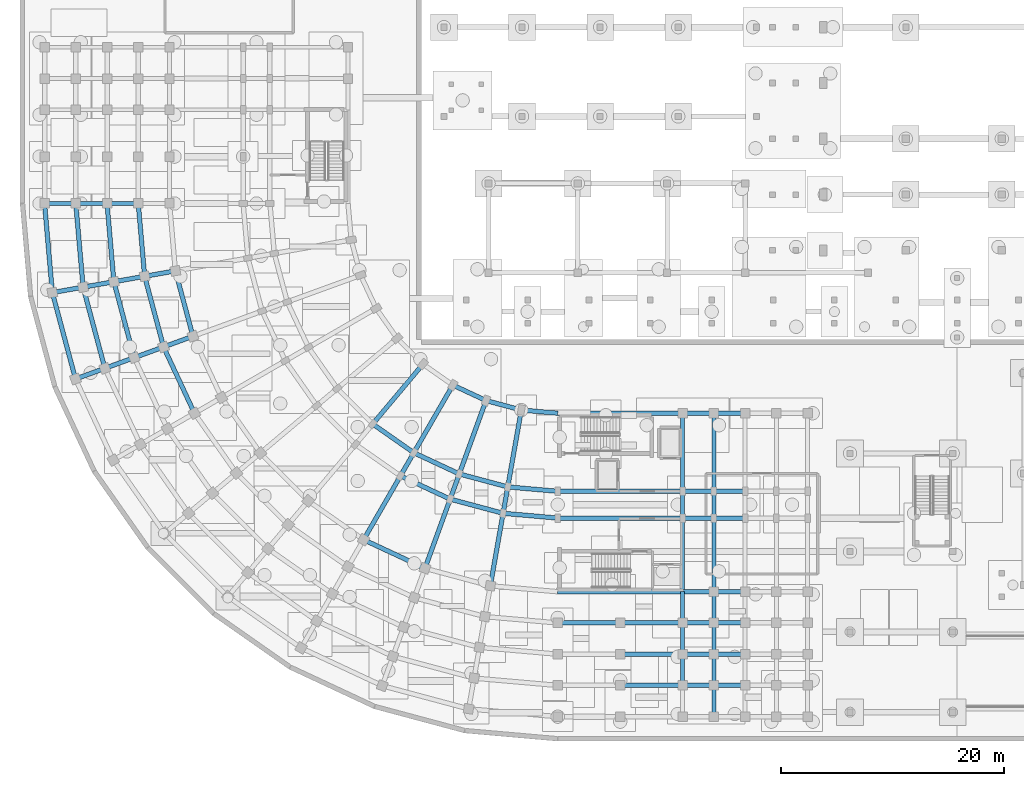
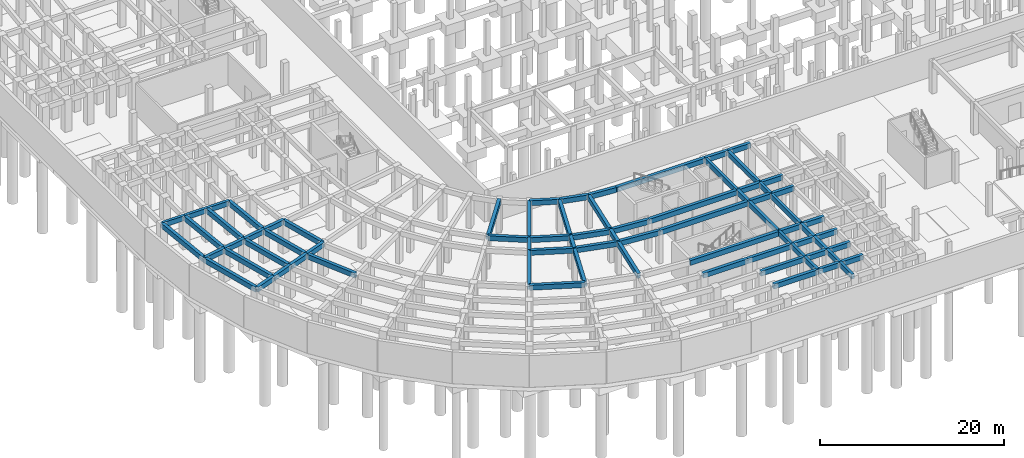
# One storey, part 19 of 53: 77 beams.
"""IFC4 building model written with IfcOpenShell, lengths in metres."""

import ifcopenshell
import ifcopenshell.guid

model = None  # the IFC model being written
_history = None  # IfcOwnerHistory: only IFC2X3 demands one
_inside = {}  # id of a spatial element -> (the spatial element, [elements in it])
_under = {}  # id of a project, library or spatial element -> (it, [spatial elements below it])
_declared = {}  # id of a project -> (the project, [libraries it declares])
_typed = {}  # id of a type object -> (the type object, [elements of that type])
_made_of = {}  # id of a material, layer set ... -> (it, [elements and type objects made of it])


def new_model(schema):
    """Start an empty IFC model of exactly this schema.

    Asked for "IFC4X3", IfcOpenShell would pick the latest addendum, in which some entities
    have other attributes; the version numbers below select the first issue.
    IFC2X3 requires an IfcOwnerHistory on every rooted entity: one is made here for all.
    """
    global model, _history
    if schema == "IFC4X3":
        model = ifcopenshell.file(schema_version=(4, 3, 0, 0))
    else:
        model = ifcopenshell.file(schema=schema)
    _inside.clear()
    _under.clear()
    _declared.clear()
    _typed.clear()
    _made_of.clear()
    _history = None
    if model.schema == "IFC2X3":
        org = make("IfcOrganization", Name="unknown")
        user = make(
            "IfcPersonAndOrganization",
            ThePerson=make("IfcPerson", FamilyName="unknown"),
            TheOrganization=org,
        )
        app = make(
            "IfcApplication",
            ApplicationDeveloper=org,
            Version="unknown",
            ApplicationFullName="unknown",
            ApplicationIdentifier="unknown",
        )
        _history = make(
            "IfcOwnerHistory",
            OwningUser=user,
            OwningApplication=app,
            ChangeAction="ADDED",
            CreationDate=0,
        )
    return model


def make(cls, **values):
    """One entity of the class cls with the attributes given. An attribute that is None is left unset."""
    return model.create_entity(
        cls, **{name: value for name, value in values.items() if value is not None}
    )


def rooted(cls, **values):
    """An entity with a GlobalId (a new one), such as an element, a storey or a relation."""
    return make(cls, GlobalId=ifcopenshell.guid.new(), OwnerHistory=_history, **values)


def si_unit(unit_type, name, prefix=None):
    """IfcSIUnit, for example si_unit("LENGTHUNIT", "METRE", prefix="MILLI")."""
    return make("IfcSIUnit", UnitType=unit_type, Prefix=prefix, Name=name)


def assignment(units):
    """IfcUnitAssignment: the units of a project."""
    return None if units is None else make("IfcUnitAssignment", Units=units)


def point(xyz):
    """IfcCartesianPoint."""
    return None if xyz is None else make("IfcCartesianPoint", Coordinates=xyz)


def direction(xyz):
    """IfcDirection."""
    return None if xyz is None else make("IfcDirection", DirectionRatios=xyz)


def frame(location, z_axis=None, x_axis=None):
    """IfcAxis2Placement3D, a coordinate frame: its origin and axes. An axis left out is left unset."""
    return make(
        "IfcAxis2Placement3D",
        Location=point(location),
        Axis=direction(z_axis),
        RefDirection=direction(x_axis),
    )


def frame_2d(location, x_axis=None):
    """IfcAxis2Placement2D, a coordinate frame in the plane: its origin and x axis."""
    return make(
        "IfcAxis2Placement2D", Location=point(location), RefDirection=direction(x_axis)
    )


def origin():
    """The frame at (0, 0, 0) with its axes left unset."""
    return frame((0.0, 0.0, 0.0))


def origin_2d():
    """The frame at (0, 0) in the plane with its x axis left unset."""
    return frame_2d((0.0, 0.0))


def place(relative_to, where):
    """IfcLocalPlacement: puts the frame where relative to a parent placement (None: the world)."""
    return make(
        "IfcLocalPlacement", PlacementRelTo=relative_to, RelativePlacement=where
    )


def context(
    kind, dimensions, precision=None, world=None, true_north=None, identifier=None
):
    """IfcGeometricRepresentationContext, for example the 3D "Model" context."""
    return make(
        "IfcGeometricRepresentationContext",
        ContextIdentifier=identifier,
        ContextType=kind,
        CoordinateSpaceDimension=dimensions,
        Precision=precision,
        WorldCoordinateSystem=world,
        TrueNorth=true_north,
    )


def subcontext(parent, identifier, kind, view, scale=None):
    """IfcGeometricRepresentationSubContext, for example "Body" below "Model"."""
    return make(
        "IfcGeometricRepresentationSubContext",
        ContextIdentifier=identifier,
        ContextType=kind,
        ParentContext=parent,
        TargetScale=scale,
        TargetView=view,
    )


def project(units=None, contexts=None):
    """IfcProject with its units and contexts."""
    return rooted(
        "IfcProject",
        Name="project",
        RepresentationContexts=contexts,
        UnitsInContext=assignment(units),
    )


def spatial(cls, under=None, at=None, **own):
    """A site, building, storey or space (cls), placed at a placement, below another one or the project."""
    s = rooted(cls, ObjectPlacement=at, **own)
    if under is not None:
        _under.setdefault(under.id(), (under, []))[1].append(s)
    return s


def profile(cls, at=None, kind="AREA", **sizes):
    """A parametric profile (cls). Its sizes go by their IFC names, for example OverallWidth=200.0."""
    return make(cls, ProfileType=kind, Position=at, **sizes)


def rectangle(**sizes):
    """IfcRectangleProfileDef."""
    return profile("IfcRectangleProfileDef", **sizes)


def extrude(swept, where, along, depth):
    """IfcExtrudedAreaSolid: the profile swept, set in the frame where, extruded along a direction by depth."""
    return make(
        "IfcExtrudedAreaSolid",
        SweptArea=swept,
        Position=where,
        ExtrudedDirection=direction(along),
        Depth=depth,
    )


def shape(context_of_items, identifier, shape_type, items):
    """IfcShapeRepresentation: the items that make up one representation, for example the "Body"."""
    return make(
        "IfcShapeRepresentation",
        ContextOfItems=context_of_items,
        RepresentationIdentifier=identifier,
        RepresentationType=shape_type,
        Items=items,
    )


def material(Name=None, Category=None):
    """IfcMaterial."""
    return make("IfcMaterial", Name=Name, Category=Category)


def material_profile(
    of_material, cross_section, Name=None, Category=None, Priority=None
):
    """IfcMaterialProfile: a cross section and its material."""
    return make(
        "IfcMaterialProfile",
        Name=Name,
        Material=of_material,
        Profile=cross_section,
        Priority=Priority,
        Category=Category,
    )


def profile_set(profiles, Name=None, composite=None):
    """IfcMaterialProfileSet."""
    return make(
        "IfcMaterialProfileSet",
        Name=Name,
        MaterialProfiles=profiles,
        CompositeProfile=composite,
    )


def made_of(thing, what):
    """Note that an element or type object is made of a material, layer set ...; save() writes the relation."""
    if what is not None:
        _made_of.setdefault(what.id(), (what, []))[1].append(thing)
    return thing


def type_object(cls, material=None, **own):
    """A type object (cls), such as IfcWallType, which elements share."""
    return made_of(rooted(cls, **own), material)


def element(
    cls,
    number,
    at=None,
    inside=None,
    cuts=None,
    type_object=None,
    material=None,
    context=None,
    identifier="Body",
    shape_type=None,
    held_by="IfcProductDefinitionShape",
    body=None,
    shapes=None,
    **own,
):
    """One element of the class cls, such as IfcWall. Its Tag is "e" and its number.

    at: its placement. inside: the storey or other place that contains it. cuts: it is an
    opening in that element (IfcRelVoidsElement). A single representation is given by context,
    identifier, shape_type and body (its items); several are given by shapes. held_by: the class
    of the entity that holds the representations. save() writes the other relations.
    """
    e = rooted(cls, Tag="e%d" % number, ObjectPlacement=at, **own)
    if body is not None:
        shapes = [shape(context, identifier, shape_type, body)]
    if shapes is not None:
        e.Representation = make(held_by, Representations=shapes)
    if inside is not None:
        _inside.setdefault(inside.id(), (inside, []))[1].append(e)
    if cuts is not None:
        rooted(
            "IfcRelVoidsElement", RelatingBuildingElement=cuts, RelatedOpeningElement=e
        )
    if type_object is not None:
        _typed.setdefault(type_object.id(), (type_object, []))[1].append(e)
    return made_of(e, material)


def aggregate(whole, parts):
    """IfcRelAggregates: a whole, such as a stair, and the parts it consists of."""
    return rooted("IfcRelAggregates", RelatingObject=whole, RelatedObjects=parts)


def save(model, path):
    """Write the relations noted so far, then the file.

    IfcRelAggregates (storeys below a building ...), IfcRelContainedInSpatialStructure (elements
    in a storey), IfcRelDefinesByType, IfcRelAssociatesMaterial and IfcRelDeclares: one each for
    every whole, place, type object, material and project.
    """
    for whole, parts in _under.values():
        aggregate(whole, parts)
    for where, things in _inside.values():
        rooted(
            "IfcRelContainedInSpatialStructure",
            RelatedElements=things,
            RelatingStructure=where,
        )
    for kind, things in _typed.values():
        rooted("IfcRelDefinesByType", RelatedObjects=things, RelatingType=kind)
    for what, things in _made_of.values():
        rooted("IfcRelAssociatesMaterial", RelatedObjects=things, RelatingMaterial=what)
    for by, libraries in _declared.values():
        rooted("IfcRelDeclares", RelatingContext=by, RelatedDefinitions=libraries)
    model.write(path)


model = new_model("IFC4")

# Units and contexts
model_context = context("Model", 3, precision=1e-05, world=origin(), true_north=direction((0.0, 1.0)))
body_context = subcontext(model_context, "Body", "Model", "MODEL_VIEW")
ifc_project = project(units=[si_unit("LENGTHUNIT", "METRE"), si_unit("AREAUNIT", "SQUARE_METRE"), si_unit("VOLUMEUNIT", "CUBIC_METRE"), si_unit("PLANEANGLEUNIT", "RADIAN"), si_unit("MASSUNIT", "GRAM", prefix="KILO")], contexts=[model_context])

# Site, building, storey
site_placement = place(None, origin())
site = spatial("IfcSite", under=ifc_project, at=site_placement, CompositionType="ELEMENT")
building_placement = place(site_placement, origin())
building = spatial("IfcBuilding", under=site, at=building_placement, Name="Kiranvali Square Residences", CompositionType="ELEMENT")
storey_placement = place(building_placement, frame((0.0, 0.0, -4.5)))
storey = spatial("IfcBuildingStorey", under=building, at=storey_placement, Name="B1", CompositionType="ELEMENT", Elevation=-4.5)

# Beams
ifc_material_1 = material(Name="Concrete M40 (40 MPa)", Category="concrete")
ifc_material_profile_1 = material_profile(ifc_material_1, rectangle(XDim=0.35009765625, YDim=0.64990234375, at=origin_2d()), Name="RC 350x650")
ifc_profile_set_1 = profile_set([ifc_material_profile_1], Name="Concrete M40 (40 MPa)")
beam_type_1 = type_object("IfcBeamType", Name="BM-M40-350x650", PredefinedType="BEAM", material=ifc_profile_set_1)
beam_1_placement = place(storey_placement, frame((59.39990234375, 29.39990234375, 3.955078125), z_axis=(0.0, -1.0, 0.0), x_axis=(1.0, 0.0, 0.0)))
element("IfcBeam", 1, at=beam_1_placement, inside=storey, type_object=beam_type_1, Name="B1 beam BM-C-B1-A1T1-01", PredefinedType="BEAM", context=body_context, shape_type="SweptSolid", body=[
    extrude(rectangle(XDim=0.35009765625, YDim=0.64990234375, at=origin_2d()), origin(), (0.0, 0.0, 1.0), 7.0),
])
beam_2_placement = place(storey_placement, frame((59.39990234375, 22.39990234375, 3.955078125), z_axis=(0.0, -1.0, 0.0), x_axis=(1.0, 0.0, 0.0)))
element("IfcBeam", 2, at=beam_2_placement, inside=storey, type_object=beam_type_1, Name="B1 beam BM-C-B1-A1T1-12", PredefinedType="BEAM", context=body_context, shape_type="SweptSolid", body=[
    extrude(rectangle(XDim=0.35009765625, YDim=0.64990234375, at=origin_2d()), origin(), (0.0, 0.0, 1.0), 2.39990234375),
])
beam_3_placement = place(storey_placement, frame((59.39990234375, 20.0, 3.955078125), z_axis=(0.0, -1.0, 0.0), x_axis=(1.0, 0.0, 0.0)))
element("IfcBeam", 3, at=beam_3_placement, inside=storey, type_object=beam_type_1, Name="B1 beam BM-C-B1-A1T1-23", PredefinedType="BEAM", context=body_context, shape_type="SweptSolid", body=[
    extrude(rectangle(XDim=0.35009765625, YDim=0.64990234375, at=origin_2d()), origin(), (0.0, 0.0, 1.0), 6.60009765625),
])
beam_4_placement = place(storey_placement, frame((59.39990234375, 13.39990234375, 3.955078125), z_axis=(0.0, -1.0, 0.0), x_axis=(1.0, 0.0, 0.0)))
element("IfcBeam", 4, at=beam_4_placement, inside=storey, type_object=beam_type_1, Name="B1 beam BM-C-B1-A1T1-34", PredefinedType="BEAM", context=body_context, shape_type="SweptSolid", body=[
    extrude(rectangle(XDim=0.35009765625, YDim=0.64990234375, at=origin_2d()), origin(), (0.0, 0.0, 1.0), 2.7998046875),
])
for number, where, z_axis, x_axis, name in (
    (5, (59.39990234375, 10.60009765625, 3.955078125), (0.0, -1.0, 0.0), (1.0, 0.0, 0.0), "B1 beam BM-C-B1-A1T1-45"),
    (6, (59.39990234375, 7.800048828125, 3.955078125), (0.0, -1.0, 0.0), (1.0, 0.0, 0.0), "B1 beam BM-C-B1-A1T1-56"),
):
    element("IfcBeam", number, at=place(storey_placement, frame(where, z_axis=z_axis, x_axis=x_axis)), inside=storey, type_object=beam_type_1, Name=name, PredefinedType="BEAM", context=body_context, shape_type="SweptSolid", body=[
        extrude(rectangle(XDim=0.35009765625, YDim=0.64990234375, at=origin_2d()), origin(), (0.0, 0.0, 1.0), 2.800048828125),
    ])
beam_5_placement = place(storey_placement, frame((62.199951171875, 29.39990234375, 3.955078125), z_axis=(0.0, -1.0, 0.0), x_axis=(1.0, 0.0, 0.0)))
element("IfcBeam", 7, at=beam_5_placement, inside=storey, type_object=beam_type_1, Name="B1 beam BM-C-B1-A1T2-01", PredefinedType="BEAM", context=body_context, shape_type="SweptSolid", body=[
    extrude(rectangle(XDim=0.35009765625, YDim=0.64990234375, at=origin_2d()), origin(), (0.0, 0.0, 1.0), 7.0),
])
beam_6_placement = place(storey_placement, frame((62.199951171875, 22.39990234375, 3.955078125), z_axis=(0.0, -1.0, 0.0), x_axis=(1.0, 0.0, 0.0)))
element("IfcBeam", 8, at=beam_6_placement, inside=storey, type_object=beam_type_1, Name="B1 beam BM-C-B1-A1T2-12", PredefinedType="BEAM", context=body_context, shape_type="SweptSolid", body=[
    extrude(rectangle(XDim=0.35009765625, YDim=0.64990234375, at=origin_2d()), origin(), (0.0, 0.0, 1.0), 2.39990234375),
])
beam_7_placement = place(storey_placement, frame((62.199951171875, 20.0, 3.955078125), z_axis=(0.0, -1.0, 0.0), x_axis=(1.0, 0.0, 0.0)))
element("IfcBeam", 9, at=beam_7_placement, inside=storey, type_object=beam_type_1, Name="B1 beam BM-C-B1-A1T2-23", PredefinedType="BEAM", context=body_context, shape_type="SweptSolid", body=[
    extrude(rectangle(XDim=0.35009765625, YDim=0.64990234375, at=origin_2d()), origin(), (0.0, 0.0, 1.0), 6.60009765625),
])
beam_8_placement = place(storey_placement, frame((62.199951171875, 13.39990234375, 3.955078125), z_axis=(0.0, -1.0, 0.0), x_axis=(1.0, 0.0, 0.0)))
element("IfcBeam", 10, at=beam_8_placement, inside=storey, type_object=beam_type_1, Name="B1 beam BM-C-B1-A1T2-34", PredefinedType="BEAM", context=body_context, shape_type="SweptSolid", body=[
    extrude(rectangle(XDim=0.35009765625, YDim=0.64990234375, at=origin_2d()), origin(), (0.0, 0.0, 1.0), 2.7998046875),
])
for number, where, z_axis, x_axis, name in (
    (11, (62.199951171875, 10.60009765625, 3.955078125), (0.0, -1.0, 0.0), (1.0, 0.0, 0.0), "B1 beam BM-C-B1-A1T2-45"),
    (12, (62.199951171875, 7.800048828125, 3.955078125), (0.0, -1.0, 0.0), (1.0, 0.0, 0.0), "B1 beam BM-C-B1-A1T2-56"),
    (13, (62.199951171875, 5.0, 3.955078125), (0.0, -1.0, 0.0), (1.0, 0.0, 0.0), "B1 beam BM-C-B1-A1T2-67"),
    (14, (10.60009765625, 48.199951171875, 3.955078125), (-1.0, 0.0, 0.0), (0.0, -1.0, 0.0), "B1 beam BM-C-B1-A2T0-45"),
    (15, (7.800048828125, 48.199951171875, 3.955078125), (-1.0, 0.0, 0.0), (0.0, -1.0, 0.0), "B1 beam BM-C-B1-A2T0-56"),
    (16, (5.0, 48.199951171875, 3.955078125), (-1.0, 0.0, 0.0), (0.0, -1.0, 0.0), "B1 beam BM-C-B1-A2T0-67"),
):
    element("IfcBeam", number, at=place(storey_placement, frame(where, z_axis=z_axis, x_axis=x_axis)), inside=storey, type_object=beam_type_1, Name=name, PredefinedType="BEAM", context=body_context, shape_type="SweptSolid", body=[
        extrude(rectangle(XDim=0.35009765625, YDim=0.64990234375, at=origin_2d()), origin(), (0.0, 0.0, 1.0), 2.800048828125),
    ])
ifc_material_2 = material(Name="Concrete M45 (45 MPa)", Category="concrete")
ifc_material_profile_2 = material_profile(ifc_material_2, rectangle(XDim=0.39990234375, YDim=0.64990234375, at=origin_2d()), Name="RC 400x650")
ifc_profile_set_2 = profile_set([ifc_material_profile_2], Name="Concrete M45 (45 MPa)")
beam_type_2 = type_object("IfcBeamType", Name="BM-M45-400x650", PredefinedType="BEAM", material=ifc_profile_set_2)
beam_9_placement = place(storey_placement, frame((48.199951171875, 29.39990234375, 3.955078125), z_axis=(-0.996194040944, 0.087163253657, 0.0), x_axis=(-0.087163253657, -0.996194040944, 0.0)))
element("IfcBeam", 17, at=beam_9_placement, inside=storey, type_object=beam_type_2, Name="B1 beam BM-C-B1-C00-R0", PredefinedType="BEAM", context=body_context, shape_type="SweptSolid", body=[
    extrude(rectangle(XDim=0.39990234375, YDim=0.64990234375, at=origin_2d()), origin(), (0.0, 0.0, 1.0), 3.277099609375),
])
beam_10_placement = place(storey_placement, frame((48.199951171875, 22.39990234375, 3.955078125), z_axis=(-0.996191949488, 0.087187153726, 0.0), x_axis=(-0.087187153726, -0.996191949488, 0.0)))
element("IfcBeam", 18, at=beam_10_placement, inside=storey, type_object=beam_type_2, Name="B1 beam BM-C-B1-C00-R1", PredefinedType="BEAM", context=body_context, shape_type="SweptSolid", body=[
    extrude(rectangle(XDim=0.39990234375, YDim=0.64990234375, at=origin_2d()), origin(), (0.0, 0.0, 1.0), 4.4970703125),
])
beam_11_placement = place(storey_placement, frame((48.199951171875, 20.0, 3.955078125), z_axis=(-0.996193663584, 0.087167566415, 0.0), x_axis=(-0.087167566415, -0.996193663584, 0.0)))
element("IfcBeam", 19, at=beam_11_placement, inside=storey, type_object=beam_type_2, Name="B1 beam BM-C-B1-C00-R2", PredefinedType="BEAM", context=body_context, shape_type="SweptSolid", body=[
    extrude(rectangle(XDim=0.39990234375, YDim=0.64990234375, at=origin_2d()), origin(), (0.0, 0.0, 1.0), 4.91552734375),
])
beam_12_placement = place(storey_placement, frame((44.935302734375, 29.685546875, 3.955078125), z_axis=(-0.965925105099, 0.258821736607, 0.0), x_axis=(-0.258821736607, -0.965925105099, 0.0)))
element("IfcBeam", 20, at=beam_12_placement, inside=storey, type_object=beam_type_2, Name="B1 beam BM-C-B1-C01-R0", PredefinedType="BEAM", context=body_context, shape_type="SweptSolid", body=[
    extrude(rectangle(XDim=0.39990234375, YDim=0.64990234375, at=origin_2d()), origin(), (0.0, 0.0, 1.0), 3.27685546875),
])
beam_13_placement = place(storey_placement, frame((43.719970703125, 22.7919921875, 3.955078125), z_axis=(-0.965934240054, 0.258787642463, 0.0), x_axis=(-0.258787642463, -0.965934240054, 0.0)))
element("IfcBeam", 21, at=beam_13_placement, inside=storey, type_object=beam_type_2, Name="B1 beam BM-C-B1-C01-R1", PredefinedType="BEAM", context=body_context, shape_type="SweptSolid", body=[
    extrude(rectangle(XDim=0.39990234375, YDim=0.64990234375, at=origin_2d()), origin(), (0.0, 0.0, 1.0), 4.497314453125),
])
beam_14_placement = place(storey_placement, frame((43.30322265625, 20.428466796875, 3.955078125), z_axis=(-0.965930095386, 0.258803112091, 0.0), x_axis=(-0.258803112091, -0.965930095386, 0.0)))
element("IfcBeam", 22, at=beam_14_placement, inside=storey, type_object=beam_type_2, Name="B1 beam BM-C-B1-C01-R2", PredefinedType="BEAM", context=body_context, shape_type="SweptSolid", body=[
    extrude(rectangle(XDim=0.39990234375, YDim=0.64990234375, at=origin_2d()), origin(), (0.0, 0.0, 1.0), 4.915771484375),
])
beam_15_placement = place(storey_placement, frame((41.77001953125, 30.53369140625, 3.955078125), z_axis=(-0.90629730464, 0.422640740585, 0.0), x_axis=(-0.422640740585, -0.90629730464, 0.0)))
element("IfcBeam", 23, at=beam_15_placement, inside=storey, type_object=beam_type_2, Name="B1 beam BM-C-B1-C02-R0", PredefinedType="BEAM", context=body_context, shape_type="SweptSolid", body=[
    extrude(rectangle(XDim=0.39990234375, YDim=0.64990234375, at=origin_2d()), origin(), (0.0, 0.0, 1.0), 3.277099609375),
])
beam_16_placement = place(storey_placement, frame((39.3759765625, 23.955810546875, 3.955078125), z_axis=(-0.906307919131, 0.422617978463, 0.0), x_axis=(-0.422617978463, -0.906307919131, 0.0)))
element("IfcBeam", 24, at=beam_16_placement, inside=storey, type_object=beam_type_2, Name="B1 beam BM-C-B1-C02-R1", PredefinedType="BEAM", context=body_context, shape_type="SweptSolid", body=[
    extrude(rectangle(XDim=0.39990234375, YDim=0.64990234375, at=origin_2d()), origin(), (0.0, 0.0, 1.0), 4.497314453125),
])
beam_17_placement = place(storey_placement, frame((38.554931640625, 21.70068359375, 3.955078125), z_axis=(-0.906302381024, 0.422629854778, 0.0), x_axis=(-0.422629854778, -0.906302381024, 0.0)))
element("IfcBeam", 25, at=beam_17_placement, inside=storey, type_object=beam_type_2, Name="B1 beam BM-C-B1-C02-R2", PredefinedType="BEAM", context=body_context, shape_type="SweptSolid", body=[
    extrude(rectangle(XDim=0.39990234375, YDim=0.64990234375, at=origin_2d()), origin(), (0.0, 0.0, 1.0), 4.915283203125),
])
beam_18_placement = place(storey_placement, frame((36.297607421875, 15.498779296875, 3.955078125), z_axis=(-0.906312656069, 0.42260781991, 0.0), x_axis=(-0.42260781991, -0.906312656069, 0.0)))
element("IfcBeam", 26, at=beam_18_placement, inside=storey, type_object=beam_type_2, Name="B1 beam BM-C-B1-C02-R3", PredefinedType="BEAM", context=body_context, shape_type="SweptSolid", body=[
    extrude(rectangle(XDim=0.39990234375, YDim=0.64990234375, at=origin_2d()), origin(), (0.0, 0.0, 1.0), 6.06591796875),
])
beam_19_placement = place(storey_placement, frame((35.300048828125, 25.8564453125, 3.955078125), z_axis=(-0.819155404658, 0.573571637217, 0.0), x_axis=(-0.573571637217, -0.819155404658, 0.0)))
element("IfcBeam", 27, at=beam_19_placement, inside=storey, type_object=beam_type_2, Name="B1 beam BM-C-B1-C03-R1", PredefinedType="BEAM", context=body_context, shape_type="SweptSolid", body=[
    extrude(rectangle(XDim=0.39990234375, YDim=0.64990234375, at=origin_2d()), origin(), (0.0, 0.0, 1.0), 4.497314453125),
])
beam_20_placement = place(storey_placement, frame((15.637451171875, 29.39990234375, 3.955078125), z_axis=(-0.422595876255, 0.906318225223, 0.0), x_axis=(-0.906318225223, -0.422595876255, 0.0)))
element("IfcBeam", 28, at=beam_20_placement, inside=storey, type_object=beam_type_2, Name="B1 beam BM-C-B1-C06-R4", PredefinedType="BEAM", context=body_context, shape_type="SweptSolid", body=[
    extrude(rectangle(XDim=0.39990234375, YDim=0.64990234375, at=origin_2d()), origin(), (0.0, 0.0, 1.0), 6.55419921875),
])
beam_21_placement = place(storey_placement, frame((15.498779296875, 36.297607421875, 3.955078125), z_axis=(-0.258827283048, 0.965923618901, 0.0), x_axis=(-0.965923618901, -0.258827283048, 0.0)))
element("IfcBeam", 29, at=beam_21_placement, inside=storey, type_object=beam_type_2, Name="B1 beam BM-C-B1-C07-R3", PredefinedType="BEAM", context=body_context, shape_type="SweptSolid", body=[
    extrude(rectangle(XDim=0.39990234375, YDim=0.64990234375, at=origin_2d()), origin(), (0.0, 0.0, 1.0), 6.066162109375),
])
beam_22_placement = place(storey_placement, frame((12.86767578125, 35.340087890625, 3.955078125), z_axis=(-0.258847178297, 0.965918287583, 0.0), x_axis=(-0.965918287583, -0.258847178297, 0.0)))
element("IfcBeam", 30, at=beam_22_placement, inside=storey, type_object=beam_type_2, Name="B1 beam BM-C-B1-C07-R4", PredefinedType="BEAM", context=body_context, shape_type="SweptSolid", body=[
    extrude(rectangle(XDim=0.39990234375, YDim=0.64990234375, at=origin_2d()), origin(), (0.0, 0.0, 1.0), 6.55419921875),
])
beam_23_placement = place(storey_placement, frame((10.236328125, 34.38232421875, 3.955078125), z_axis=(-0.258799624492, 0.965931029817, 0.0), x_axis=(-0.965931029817, -0.258799624492, 0.0)))
element("IfcBeam", 31, at=beam_23_placement, inside=storey, type_object=beam_type_2, Name="B1 beam BM-C-B1-C07-R5", PredefinedType="BEAM", context=body_context, shape_type="SweptSolid", body=[
    extrude(rectangle(XDim=0.39990234375, YDim=0.64990234375, at=origin_2d()), origin(), (0.0, 0.0, 1.0), 7.042236328125),
])
beam_24_placement = place(storey_placement, frame((7.605224609375, 33.4248046875, 3.955078125), z_axis=(-0.258818733833, 0.965925909693, 0.0), x_axis=(-0.965925909693, -0.258818733833, 0.0)))
element("IfcBeam", 32, at=beam_24_placement, inside=storey, type_object=beam_type_2, Name="B1 beam BM-C-B1-C07-R6", PredefinedType="BEAM", context=body_context, shape_type="SweptSolid", body=[
    extrude(rectangle(XDim=0.39990234375, YDim=0.64990234375, at=origin_2d()), origin(), (0.0, 0.0, 1.0), 7.5302734375),
])
beam_25_placement = place(storey_placement, frame((4.97412109375, 32.467041015625, 3.955078125), z_axis=(-0.258807108475, 0.96592902462, 0.0), x_axis=(-0.96592902462, -0.258807108475, 0.0)))
element("IfcBeam", 33, at=beam_25_placement, inside=storey, type_object=beam_type_2, Name="B1 beam BM-C-B1-C07-R7", PredefinedType="BEAM", context=body_context, shape_type="SweptSolid", body=[
    extrude(rectangle(XDim=0.39990234375, YDim=0.64990234375, at=origin_2d()), origin(), (0.0, 0.0, 1.0), 8.018310546875),
])
beam_26_placement = place(storey_placement, frame((11.171142578125, 41.6708984375, 3.955078125), z_axis=(-0.0871295204, 0.996196991902, 0.0), x_axis=(-0.996196991902, -0.0871295204, 0.0)))
element("IfcBeam", 34, at=beam_26_placement, inside=storey, type_object=beam_type_2, Name="B1 beam BM-C-B1-C08-R4", PredefinedType="BEAM", context=body_context, shape_type="SweptSolid", body=[
    extrude(rectangle(XDim=0.39990234375, YDim=0.64990234375, at=origin_2d()), origin(), (0.0, 0.0, 1.0), 6.553955078125),
])
beam_27_placement = place(storey_placement, frame((8.413818359375, 41.1845703125, 3.955078125), z_axis=(-0.087156198737, 0.996194658198, 0.0), x_axis=(-0.996194658198, -0.087156198737, 0.0)))
element("IfcBeam", 35, at=beam_27_placement, inside=storey, type_object=beam_type_2, Name="B1 beam BM-C-B1-C08-R5", PredefinedType="BEAM", context=body_context, shape_type="SweptSolid", body=[
    extrude(rectangle(XDim=0.39990234375, YDim=0.64990234375, at=origin_2d()), origin(), (0.0, 0.0, 1.0), 7.042236328125),
])
beam_28_placement = place(storey_placement, frame((5.65625, 40.698486328125, 3.955078125), z_axis=(-0.087150058103, 0.996195195417, 0.0), x_axis=(-0.996195195417, -0.087150058103, 0.0)))
element("IfcBeam", 36, at=beam_28_placement, inside=storey, type_object=beam_type_2, Name="B1 beam BM-C-B1-C08-R6", PredefinedType="BEAM", context=body_context, shape_type="SweptSolid", body=[
    extrude(rectangle(XDim=0.39990234375, YDim=0.64990234375, at=origin_2d()), origin(), (0.0, 0.0, 1.0), 7.530029296875),
])
beam_29_placement = place(storey_placement, frame((2.89892578125, 40.212158203125, 3.955078125), z_axis=(-0.087172238171, 0.996193254792, 0.0), x_axis=(-0.996193254792, -0.087172238171, 0.0)))
element("IfcBeam", 37, at=beam_29_placement, inside=storey, type_object=beam_type_2, Name="B1 beam BM-C-B1-C08-R7", PredefinedType="BEAM", context=body_context, shape_type="SweptSolid", body=[
    extrude(rectangle(XDim=0.39990234375, YDim=0.64990234375, at=origin_2d()), origin(), (0.0, 0.0, 1.0), 8.018310546875),
])
beam_30_placement = place(storey_placement, frame((44.935302734375, 29.685546875, 3.955078125), z_axis=(-0.173622177865, -0.984812337125, 0.0), x_axis=(0.984812337125, -0.173622177865, 0.0)))
element("IfcBeam", 38, at=beam_30_placement, inside=storey, type_object=beam_type_2, Name="B1 beam BM-C-B1-RAD01-01", PredefinedType="BEAM", context=body_context, shape_type="SweptSolid", body=[
    extrude(rectangle(XDim=0.39990234375, YDim=0.64990234375, at=origin_2d()), origin(), (0.0, 0.0, 1.0), 6.999755859375),
])
beam_31_placement = place(storey_placement, frame((43.719970703125, 22.7919921875, 3.955078125), z_axis=(-0.173646056486, -0.984808127031, 0.0), x_axis=(0.984808127031, -0.173646056486, 0.0)))
element("IfcBeam", 39, at=beam_31_placement, inside=storey, type_object=beam_type_2, Name="B1 beam BM-C-B1-RAD01-12", PredefinedType="BEAM", context=body_context, shape_type="SweptSolid", body=[
    extrude(rectangle(XDim=0.39990234375, YDim=0.64990234375, at=origin_2d()), origin(), (0.0, 0.0, 1.0), 2.39990234375),
])
beam_32_placement = place(storey_placement, frame((43.30322265625, 20.428466796875, 3.955078125), z_axis=(-0.173671381499, -0.984803661269, 0.0), x_axis=(0.984803661269, -0.173671381499, 0.0)))
element("IfcBeam", 40, at=beam_32_placement, inside=storey, type_object=beam_type_2, Name="B1 beam BM-C-B1-RAD01-23", PredefinedType="BEAM", context=body_context, shape_type="SweptSolid", body=[
    extrude(rectangle(XDim=0.39990234375, YDim=0.64990234375, at=origin_2d()), origin(), (0.0, 0.0, 1.0), 6.60009765625),
])
beam_33_placement = place(storey_placement, frame((41.77001953125, 30.53369140625, 3.955078125), z_axis=(-0.342006283793, -0.939697665127, 0.0), x_axis=(0.939697665127, -0.342006283793, 0.0)))
element("IfcBeam", 41, at=beam_33_placement, inside=storey, type_object=beam_type_2, Name="B1 beam BM-C-B1-RAD02-01", PredefinedType="BEAM", context=body_context, shape_type="SweptSolid", body=[
    extrude(rectangle(XDim=0.39990234375, YDim=0.64990234375, at=origin_2d()), origin(), (0.0, 0.0, 1.0), 7.0),
])
beam_34_placement = place(storey_placement, frame((39.3759765625, 23.955810546875, 3.955078125), z_axis=(-0.342110593602, -0.939659694648, 0.0), x_axis=(0.939659694648, -0.342110593602, 0.0)))
element("IfcBeam", 42, at=beam_34_placement, inside=storey, type_object=beam_type_2, Name="B1 beam BM-C-B1-RAD02-12", PredefinedType="BEAM", context=body_context, shape_type="SweptSolid", body=[
    extrude(rectangle(XDim=0.39990234375, YDim=0.64990234375, at=origin_2d()), origin(), (0.0, 0.0, 1.0), 2.39990234375),
])
beam_35_placement = place(storey_placement, frame((38.554931640625, 21.70068359375, 3.955078125), z_axis=(-0.342022238372, -0.939691858249, 0.0), x_axis=(0.939691858249, -0.342022238372, 0.0)))
element("IfcBeam", 43, at=beam_35_placement, inside=storey, type_object=beam_type_2, Name="B1 beam BM-C-B1-RAD02-23", PredefinedType="BEAM", context=body_context, shape_type="SweptSolid", body=[
    extrude(rectangle(XDim=0.39990234375, YDim=0.64990234375, at=origin_2d()), origin(), (0.0, 0.0, 1.0), 6.599853515625),
])
beam_36_placement = place(storey_placement, frame((38.800048828125, 31.918701171875, 3.955078125), z_axis=(-0.499995173006, -0.866028190633, 0.0), x_axis=(0.866028190633, -0.499995173006, 0.0)))
element("IfcBeam", 44, at=beam_36_placement, inside=storey, type_object=beam_type_2, Name="B1 beam BM-C-B1-RAD03-01", PredefinedType="BEAM", context=body_context, shape_type="SweptSolid", body=[
    extrude(rectangle(XDim=0.39990234375, YDim=0.64990234375, at=origin_2d()), origin(), (0.0, 0.0, 1.0), 7.0),
])
beam_37_placement = place(storey_placement, frame((35.300048828125, 25.8564453125, 3.955078125), z_axis=(-0.500001309137, -0.866024647952, 0.0), x_axis=(0.866024647952, -0.500001309137, 0.0)))
element("IfcBeam", 45, at=beam_37_placement, inside=storey, type_object=beam_type_2, Name="B1 beam BM-C-B1-RAD03-12", PredefinedType="BEAM", context=body_context, shape_type="SweptSolid", body=[
    extrude(rectangle(XDim=0.39990234375, YDim=0.64990234375, at=origin_2d()), origin(), (0.0, 0.0, 1.0), 2.39990234375),
])
beam_38_placement = place(storey_placement, frame((34.10009765625, 23.778076171875, 3.955078125), z_axis=(-0.500002094529, -0.866024194504, 0.0), x_axis=(0.866024194504, -0.500002094529, 0.0)))
element("IfcBeam", 46, at=beam_38_placement, inside=storey, type_object=beam_type_2, Name="B1 beam BM-C-B1-RAD03-23", PredefinedType="BEAM", context=body_context, shape_type="SweptSolid", body=[
    extrude(rectangle(XDim=0.39990234375, YDim=0.64990234375, at=origin_2d()), origin(), (0.0, 0.0, 1.0), 6.60009765625),
])
beam_39_placement = place(storey_placement, frame((36.115478515625, 33.79833984375, 3.955078125), z_axis=(-0.642787931032, -0.766044173478, 0.0), x_axis=(0.766044173478, -0.642787931032, 0.0)))
element("IfcBeam", 47, at=beam_39_placement, inside=storey, type_object=beam_type_2, Name="B1 beam BM-C-B1-RAD04-01", PredefinedType="BEAM", context=body_context, shape_type="SweptSolid", body=[
    extrude(rectangle(XDim=0.39990234375, YDim=0.64990234375, at=origin_2d()), origin(), (0.0, 0.0, 1.0), 7.0),
])
beam_40_placement = place(storey_placement, frame((15.498779296875, 36.297607421875, 3.955078125), z_axis=(-0.93970683422, -0.341981089711, 0.0), x_axis=(0.341981089711, -0.93970683422, 0.0)))
element("IfcBeam", 48, at=beam_40_placement, inside=storey, type_object=beam_type_2, Name="B1 beam BM-C-B1-RAD07-34", PredefinedType="BEAM", context=body_context, shape_type="SweptSolid", body=[
    extrude(rectangle(XDim=0.39990234375, YDim=0.64990234375, at=origin_2d()), origin(), (0.0, 0.0, 1.0), 2.7998046875),
])
beam_41_placement = place(storey_placement, frame((12.86767578125, 35.340087890625, 3.955078125), z_axis=(-0.939689011208, -0.342030060398, 0.0), x_axis=(0.342030060398, -0.939689011208, 0.0)))
element("IfcBeam", 49, at=beam_41_placement, inside=storey, type_object=beam_type_2, Name="B1 beam BM-C-B1-RAD07-45", PredefinedType="BEAM", context=body_context, shape_type="SweptSolid", body=[
    extrude(rectangle(XDim=0.39990234375, YDim=0.64990234375, at=origin_2d()), origin(), (0.0, 0.0, 1.0), 2.80029296875),
])
beam_42_placement = place(storey_placement, frame((10.236328125, 34.38232421875, 3.955078125), z_axis=(-0.93970683422, -0.341981089711, 0.0), x_axis=(0.341981089711, -0.93970683422, 0.0)))
element("IfcBeam", 50, at=beam_42_placement, inside=storey, type_object=beam_type_2, Name="B1 beam BM-C-B1-RAD07-56", PredefinedType="BEAM", context=body_context, shape_type="SweptSolid", body=[
    extrude(rectangle(XDim=0.39990234375, YDim=0.64990234375, at=origin_2d()), origin(), (0.0, 0.0, 1.0), 2.7998046875),
])
for number, where, z_axis, x_axis, name in (
    (51, (7.605224609375, 33.4248046875, 3.955078125), (-0.939678810556, -0.342058084236, 0.0), (0.342058084236, -0.939678810556, 0.0), "B1 beam BM-C-B1-RAD07-67"),
    (52, (13.9287109375, 42.156982421875, 3.955078125), (-0.984816895441, -0.173596320392, 0.0), (0.173596320392, -0.984816895441, 0.0), "B1 beam BM-C-B1-RAD08-34"),
):
    element("IfcBeam", number, at=place(storey_placement, frame(where, z_axis=z_axis, x_axis=x_axis)), inside=storey, type_object=beam_type_2, Name=name, PredefinedType="BEAM", context=body_context, shape_type="SweptSolid", body=[
        extrude(rectangle(XDim=0.39990234375, YDim=0.64990234375, at=origin_2d()), origin(), (0.0, 0.0, 1.0), 2.800048828125),
    ])
beam_43_placement = place(storey_placement, frame((11.171142578125, 41.6708984375, 3.955078125), z_axis=(-0.984799355489, -0.173695795656, 0.0), x_axis=(0.173695795656, -0.984799355489, 0.0)))
element("IfcBeam", 53, at=beam_43_placement, inside=storey, type_object=beam_type_2, Name="B1 beam BM-C-B1-RAD08-45", PredefinedType="BEAM", context=body_context, shape_type="SweptSolid", body=[
    extrude(rectangle(XDim=0.39990234375, YDim=0.64990234375, at=origin_2d()), origin(), (0.0, 0.0, 1.0), 2.7998046875),
])
beam_44_placement = place(storey_placement, frame((8.413818359375, 41.1845703125, 3.955078125), z_axis=(-0.984816895441, -0.173596320392, 0.0), x_axis=(0.173596320392, -0.984816895441, 0.0)))
element("IfcBeam", 54, at=beam_44_placement, inside=storey, type_object=beam_type_2, Name="B1 beam BM-C-B1-RAD08-56", PredefinedType="BEAM", context=body_context, shape_type="SweptSolid", body=[
    extrude(rectangle(XDim=0.39990234375, YDim=0.64990234375, at=origin_2d()), origin(), (0.0, 0.0, 1.0), 2.800048828125),
])
beam_45_placement = place(storey_placement, frame((5.65625, 40.698486328125, 3.955078125), z_axis=(-0.984799355489, -0.173695795656, 0.0), x_axis=(0.173695795656, -0.984799355489, 0.0)))
element("IfcBeam", 55, at=beam_45_placement, inside=storey, type_object=beam_type_2, Name="B1 beam BM-C-B1-RAD08-67", PredefinedType="BEAM", context=body_context, shape_type="SweptSolid", body=[
    extrude(rectangle(XDim=0.39990234375, YDim=0.64990234375, at=origin_2d()), origin(), (0.0, 0.0, 1.0), 2.7998046875),
])
beam_46_placement = place(storey_placement, frame((48.199951171875, 29.39990234375, 3.955078125), z_axis=(1.0, 0.0, 0.0), x_axis=(0.0, 1.0, 0.0)))
element("IfcBeam", 56, at=beam_46_placement, inside=storey, type_object=beam_type_2, Name="B1 beam BM-C-B1-A1U0-R0", PredefinedType="BEAM", context=body_context, shape_type="SweptSolid", body=[
    extrude(rectangle(XDim=0.39990234375, YDim=0.64990234375, at=origin_2d()), origin(), (0.0, 0.0, 1.0), 11.199951171875),
])
for number, where, z_axis, x_axis, name in (
    (57, (59.39990234375, 29.39990234375, 3.955078125), (1.0, 0.0, 0.0), (0.0, 1.0, 0.0), "B1 beam BM-C-B1-A1U1-R0"),
    (58, (62.199951171875, 29.39990234375, 3.955078125), (1.0, 0.0, 0.0), (0.0, 1.0, 0.0), "B1 beam BM-C-B1-A1U2-R0"),
):
    element("IfcBeam", number, at=place(storey_placement, frame(where, z_axis=z_axis, x_axis=x_axis)), inside=storey, type_object=beam_type_2, Name=name, PredefinedType="BEAM", context=body_context, shape_type="SweptSolid", body=[
        extrude(rectangle(XDim=0.39990234375, YDim=0.64990234375, at=origin_2d()), origin(), (0.0, 0.0, 1.0), 2.800048828125),
    ])
beam_47_placement = place(storey_placement, frame((48.199951171875, 22.39990234375, 3.955078125), z_axis=(1.0, 0.0, 0.0), x_axis=(0.0, 1.0, 0.0)))
element("IfcBeam", 59, at=beam_47_placement, inside=storey, type_object=beam_type_2, Name="B1 beam BM-C-B1-A1U0-R1", PredefinedType="BEAM", context=body_context, shape_type="SweptSolid", body=[
    extrude(rectangle(XDim=0.39990234375, YDim=0.64990234375, at=origin_2d()), origin(), (0.0, 0.0, 1.0), 11.199951171875),
])
for number, where, z_axis, x_axis, name in (
    (60, (59.39990234375, 22.39990234375, 3.955078125), (1.0, 0.0, 0.0), (0.0, 1.0, 0.0), "B1 beam BM-C-B1-A1U1-R1"),
    (61, (62.199951171875, 22.39990234375, 3.955078125), (1.0, 0.0, 0.0), (0.0, 1.0, 0.0), "B1 beam BM-C-B1-A1U2-R1"),
):
    element("IfcBeam", number, at=place(storey_placement, frame(where, z_axis=z_axis, x_axis=x_axis)), inside=storey, type_object=beam_type_2, Name=name, PredefinedType="BEAM", context=body_context, shape_type="SweptSolid", body=[
        extrude(rectangle(XDim=0.39990234375, YDim=0.64990234375, at=origin_2d()), origin(), (0.0, 0.0, 1.0), 2.800048828125),
    ])
beam_48_placement = place(storey_placement, frame((48.199951171875, 20.0, 3.955078125), z_axis=(1.0, 0.0, 0.0), x_axis=(0.0, 1.0, 0.0)))
element("IfcBeam", 62, at=beam_48_placement, inside=storey, type_object=beam_type_2, Name="B1 beam BM-C-B1-A1U0-R2", PredefinedType="BEAM", context=body_context, shape_type="SweptSolid", body=[
    extrude(rectangle(XDim=0.39990234375, YDim=0.64990234375, at=origin_2d()), origin(), (0.0, 0.0, 1.0), 11.199951171875),
])
for number, where, z_axis, x_axis, name in (
    (63, (59.39990234375, 20.0, 3.955078125), (1.0, 0.0, 0.0), (0.0, 1.0, 0.0), "B1 beam BM-C-B1-A1U1-R2"),
    (64, (62.199951171875, 20.0, 3.955078125), (1.0, 0.0, 0.0), (0.0, 1.0, 0.0), "B1 beam BM-C-B1-A1U2-R2"),
):
    element("IfcBeam", number, at=place(storey_placement, frame(where, z_axis=z_axis, x_axis=x_axis)), inside=storey, type_object=beam_type_2, Name=name, PredefinedType="BEAM", context=body_context, shape_type="SweptSolid", body=[
        extrude(rectangle(XDim=0.39990234375, YDim=0.64990234375, at=origin_2d()), origin(), (0.0, 0.0, 1.0), 2.800048828125),
    ])
beam_49_placement = place(storey_placement, frame((48.199951171875, 13.39990234375, 3.955078125), z_axis=(1.0, 0.0, 0.0), x_axis=(0.0, 1.0, 0.0)))
element("IfcBeam", 65, at=beam_49_placement, inside=storey, type_object=beam_type_2, Name="B1 beam BM-C-B1-A1U0-R3", PredefinedType="BEAM", context=body_context, shape_type="SweptSolid", body=[
    extrude(rectangle(XDim=0.39990234375, YDim=0.64990234375, at=origin_2d()), origin(), (0.0, 0.0, 1.0), 11.199951171875),
])
for number, where, z_axis, x_axis, name in (
    (66, (59.39990234375, 13.39990234375, 3.955078125), (1.0, 0.0, 0.0), (0.0, 1.0, 0.0), "B1 beam BM-C-B1-A1U1-R3"),
    (67, (62.199951171875, 13.39990234375, 3.955078125), (1.0, 0.0, 0.0), (0.0, 1.0, 0.0), "B1 beam BM-C-B1-A1U2-R3"),
):
    element("IfcBeam", number, at=place(storey_placement, frame(where, z_axis=z_axis, x_axis=x_axis)), inside=storey, type_object=beam_type_2, Name=name, PredefinedType="BEAM", context=body_context, shape_type="SweptSolid", body=[
        extrude(rectangle(XDim=0.39990234375, YDim=0.64990234375, at=origin_2d()), origin(), (0.0, 0.0, 1.0), 2.800048828125),
    ])
beam_50_placement = place(storey_placement, frame((48.199951171875, 10.60009765625, 3.955078125), z_axis=(1.0, 0.0, 0.0), x_axis=(0.0, 1.0, 0.0)))
element("IfcBeam", 68, at=beam_50_placement, inside=storey, type_object=beam_type_2, Name="B1 beam BM-C-B1-A1U0-R4", PredefinedType="BEAM", context=body_context, shape_type="SweptSolid", body=[
    extrude(rectangle(XDim=0.39990234375, YDim=0.64990234375, at=origin_2d()), origin(), (0.0, 0.0, 1.0), 5.60009765625),
])
beam_51_placement = place(storey_placement, frame((53.800048828125, 10.60009765625, 3.955078125), z_axis=(1.0, 0.0, 0.0), x_axis=(0.0, 1.0, 0.0)))
element("IfcBeam", 69, at=beam_51_placement, inside=storey, type_object=beam_type_2, Name="B1 beam BM-C-B1-A1U1-R4", PredefinedType="BEAM", context=body_context, shape_type="SweptSolid", body=[
    extrude(rectangle(XDim=0.39990234375, YDim=0.64990234375, at=origin_2d()), origin(), (0.0, 0.0, 1.0), 5.599853515625),
])
for number, where, z_axis, x_axis, name in (
    (70, (59.39990234375, 10.60009765625, 3.955078125), (1.0, 0.0, 0.0), (0.0, 1.0, 0.0), "B1 beam BM-C-B1-A1U2-R4"),
    (71, (62.199951171875, 10.60009765625, 3.955078125), (1.0, 0.0, 0.0), (0.0, 1.0, 0.0), "B1 beam BM-C-B1-A1U3-R4"),
):
    element("IfcBeam", number, at=place(storey_placement, frame(where, z_axis=z_axis, x_axis=x_axis)), inside=storey, type_object=beam_type_2, Name=name, PredefinedType="BEAM", context=body_context, shape_type="SweptSolid", body=[
        extrude(rectangle(XDim=0.39990234375, YDim=0.64990234375, at=origin_2d()), origin(), (0.0, 0.0, 1.0), 2.800048828125),
    ])
beam_52_placement = place(storey_placement, frame((53.800048828125, 7.800048828125, 3.955078125), z_axis=(1.0, 0.0, 0.0), x_axis=(0.0, 1.0, 0.0)))
element("IfcBeam", 72, at=beam_52_placement, inside=storey, type_object=beam_type_2, Name="B1 beam BM-C-B1-A1U1-R5", PredefinedType="BEAM", context=body_context, shape_type="SweptSolid", body=[
    extrude(rectangle(XDim=0.39990234375, YDim=0.64990234375, at=origin_2d()), origin(), (0.0, 0.0, 1.0), 5.599853515625),
])
for number, where, z_axis, x_axis, name in (
    (73, (59.39990234375, 7.800048828125, 3.955078125), (1.0, 0.0, 0.0), (0.0, 1.0, 0.0), "B1 beam BM-C-B1-A1U2-R5"),
    (74, (62.199951171875, 7.800048828125, 3.955078125), (1.0, 0.0, 0.0), (0.0, 1.0, 0.0), "B1 beam BM-C-B1-A1U3-R5"),
):
    element("IfcBeam", number, at=place(storey_placement, frame(where, z_axis=z_axis, x_axis=x_axis)), inside=storey, type_object=beam_type_2, Name=name, PredefinedType="BEAM", context=body_context, shape_type="SweptSolid", body=[
        extrude(rectangle(XDim=0.39990234375, YDim=0.64990234375, at=origin_2d()), origin(), (0.0, 0.0, 1.0), 2.800048828125),
    ])
beam_53_placement = place(storey_placement, frame((53.800048828125, 5.0, 3.955078125), z_axis=(1.0, 0.0, 0.0), x_axis=(0.0, 1.0, 0.0)))
element("IfcBeam", 75, at=beam_53_placement, inside=storey, type_object=beam_type_2, Name="B1 beam BM-C-B1-A1U1-R6", PredefinedType="BEAM", context=body_context, shape_type="SweptSolid", body=[
    extrude(rectangle(XDim=0.39990234375, YDim=0.64990234375, at=origin_2d()), origin(), (0.0, 0.0, 1.0), 5.599853515625),
])
for number, where, z_axis, x_axis, name in (
    (76, (59.39990234375, 5.0, 3.955078125), (1.0, 0.0, 0.0), (0.0, 1.0, 0.0), "B1 beam BM-C-B1-A1U2-R6"),
    (77, (62.199951171875, 5.0, 3.955078125), (1.0, 0.0, 0.0), (0.0, 1.0, 0.0), "B1 beam BM-C-B1-A1U3-R6"),
):
    element("IfcBeam", number, at=place(storey_placement, frame(where, z_axis=z_axis, x_axis=x_axis)), inside=storey, type_object=beam_type_2, Name=name, PredefinedType="BEAM", context=body_context, shape_type="SweptSolid", body=[
        extrude(rectangle(XDim=0.39990234375, YDim=0.64990234375, at=origin_2d()), origin(), (0.0, 0.0, 1.0), 2.800048828125),
    ])

save(model, "model.ifc")
